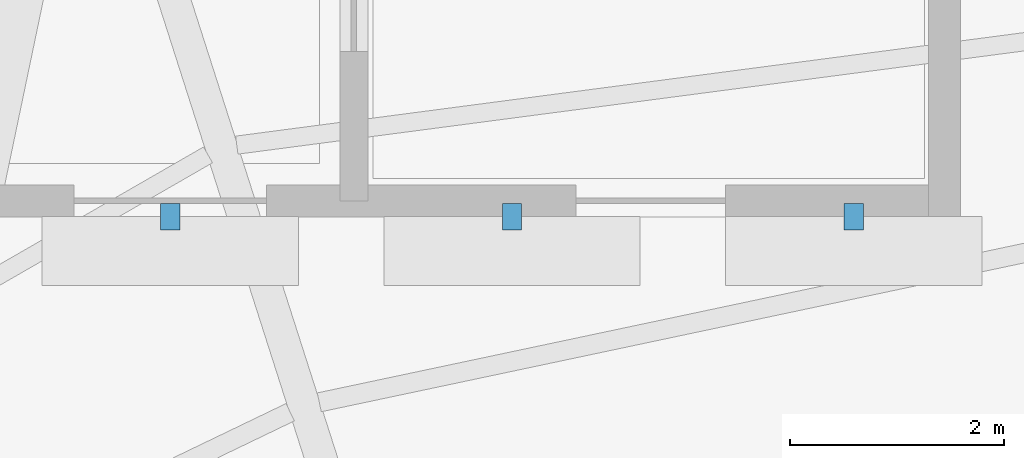
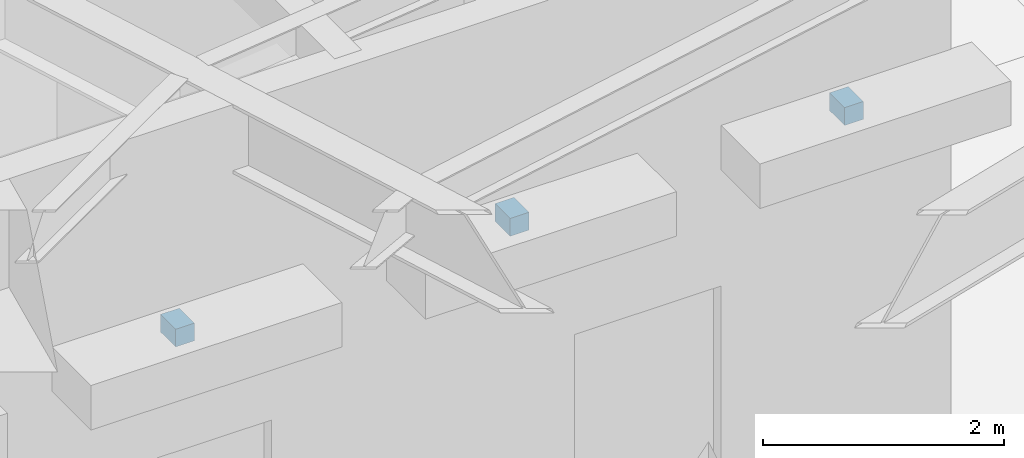
# One storey, part 11 of 14: 3 discrete accessories.
"""IFC4 building model written with IfcOpenShell, lengths in metres."""

from ifc_helpers import new_model, si_unit, direction, frame, origin, origin_2d, place, context, subcontext, project, spatial, rectangle, extrude, material, type_object, element, save


model = new_model("IFC4")

# Units and contexts
model_context = context("Model", 3, precision=1e-05, world=origin(), true_north=direction((0.0, 1.0)))
body_context = subcontext(model_context, "Body", "Model", "MODEL_VIEW")
ifc_project = project(units=[si_unit("LENGTHUNIT", "METRE"), si_unit("AREAUNIT", "SQUARE_METRE"), si_unit("VOLUMEUNIT", "CUBIC_METRE"), si_unit("PLANEANGLEUNIT", "RADIAN"), si_unit("MASSUNIT", "GRAM", prefix="KILO")], contexts=[model_context])

# Site, building, storey
site_placement = place(None, origin())
site = spatial("IfcSite", under=ifc_project, at=site_placement, CompositionType="ELEMENT")
building_placement = place(site_placement, origin())
building = spatial("IfcBuilding", under=site, at=building_placement, Name="Lazwardi Medical Tower", CompositionType="ELEMENT")
storey_placement = place(building_placement, origin())
storey = spatial("IfcBuildingStorey", under=building, at=storey_placement, Name="L00", CompositionType="ELEMENT", Elevation=0.0)

# Discrete accessories
ifc_material = material(Name="Steel S355", Category="steel")
discrete_accessory_type = type_object("IfcDiscreteAccessoryType", Name="ACC-BRK-01", PredefinedType="BRACKET", material=ifc_material)
for number, where, z_axis, x_axis, name in (
    (1, (39.800048828125, 13.60009765625, 3.56005859375), (0.0, 0.0, 1.0), (1.0, 0.0, 0.0), "L00 Sunshade Bracket 5"),
    (2, (43.0, 13.60009765625, 3.56005859375), (0.0, 0.0, 1.0), (1.0, 0.0, 0.0), "L00 Sunshade Bracket 6"),
    (3, (46.199951171875, 13.60009765625, 3.56005859375), (0.0, 0.0, 1.0), (1.0, 0.0, 0.0), "L00 Sunshade Bracket 7"),
):
    element("IfcDiscreteAccessory", number, at=place(storey_placement, frame(where, z_axis=z_axis, x_axis=x_axis)), inside=storey, type_object=discrete_accessory_type, Name=name, PredefinedType="BRACKET", context=body_context, shape_type="SweptSolid", body=[
        extrude(rectangle(XDim=0.179931640625, YDim=0.25, at=origin_2d()), origin(), (0.0, 0.0, 1.0), 0.179931640625),
    ])

save(model, "model.ifc")
